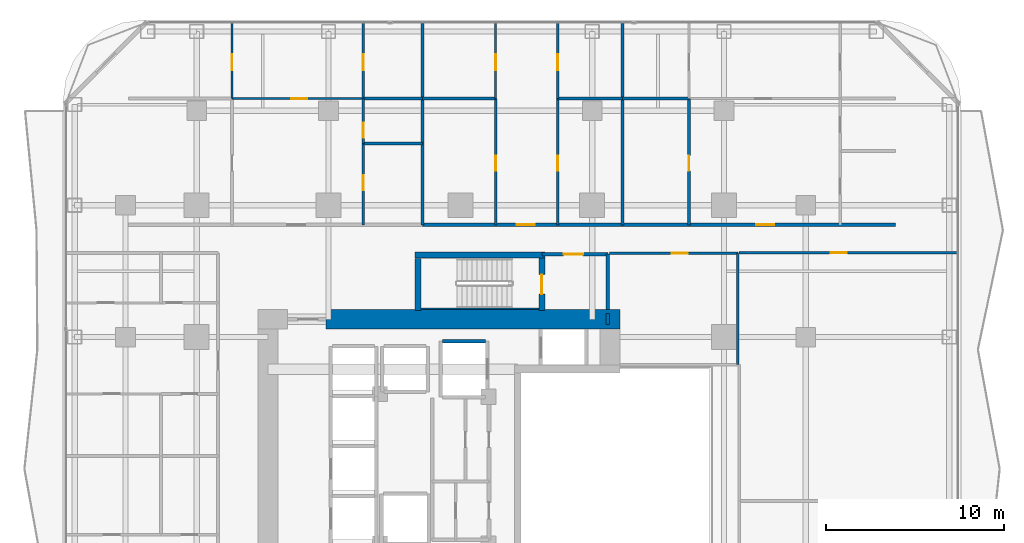
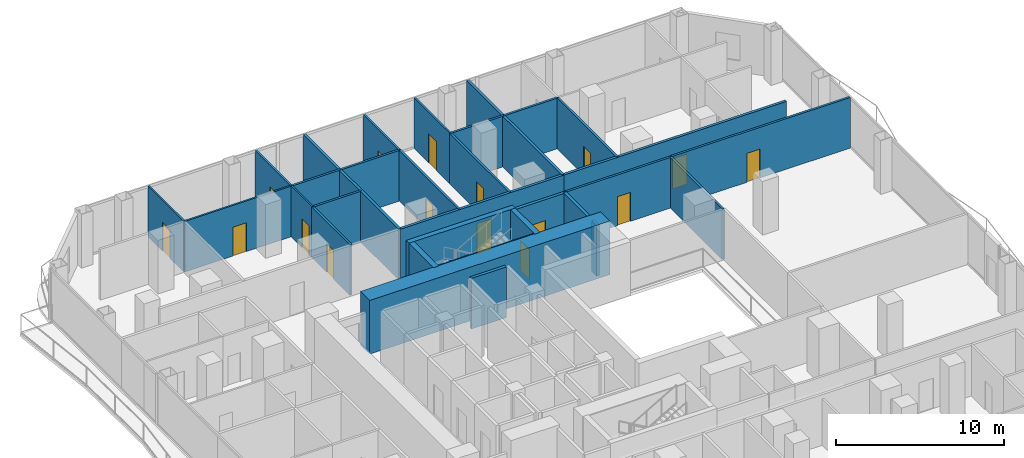
# One storey, part 24 of 28: 31 walls, 16 doors, 16 openings.
"""IFC4 building model written with IfcOpenShell, lengths in metres."""

from ifc_helpers import new_model, si_unit, direction, frame, frame_2d, origin, place, context, subcontext, project, spatial, rectangle, extrude, material, layer, layer_set, type_object, element, fill, save


model = new_model("IFC4")

# Units and contexts
model_context = context("Model", 3, precision=1e-05, world=origin(), true_north=direction((0.0, 1.0)))
body_context = subcontext(model_context, "Body", "Model", "MODEL_VIEW")
ifc_project = project(units=[si_unit("LENGTHUNIT", "METRE"), si_unit("AREAUNIT", "SQUARE_METRE"), si_unit("VOLUMEUNIT", "CUBIC_METRE"), si_unit("PLANEANGLEUNIT", "RADIAN"), si_unit("MASSUNIT", "GRAM", prefix="KILO")], contexts=[model_context])

# Site, building, storey
site_placement = place(None, origin())
site = spatial("IfcSite", under=ifc_project, at=site_placement, CompositionType="ELEMENT")
building_placement = place(site_placement, origin())
building = spatial("IfcBuilding", under=site, at=building_placement, Name="Khorvyn Point Tower", CompositionType="ELEMENT")
storey_placement = place(building_placement, frame((0.0, 0.0, 34.5)))
storey = spatial("IfcBuildingStorey", under=building, at=storey_placement, Name="L09", CompositionType="ELEMENT", Elevation=34.5)

# Wall, opening, door
ifc_material_1 = material(Name="Double acoustic gypsum on twin steel stud", Category="steel")
ifc_layer_1 = layer(ifc_material_1, 0.179931640625)
ifc_layer_set_1 = layer_set([ifc_layer_1], Name="Acoustic Double-Stud Apartment Demising Wall 180")
wall_type_1 = type_object("IfcWallType", Name="Acoustic Double-Stud Apartment Demising Wall 180", PredefinedType="PARTITIONING", material=ifc_layer_set_1)
wall_1_placement = place(storey_placement, frame((-2.12109375, 13.699951171875, 0.0), z_axis=(0.0, 0.0, 1.0), x_axis=(1.0, 0.0, 0.0)))
wall_1 = element("IfcWall", 1, at=wall_1_placement, inside=storey, type_object=wall_type_1, Name="Wall", PredefinedType="PARTITIONING", context=body_context, shape_type="SweptSolid", body=[
    extrude(rectangle(XDim=11.22607421875, YDim=0.179931640625, at=frame_2d((5.613037109375, 0.0))), origin(), (0.0, 0.0, 1.0), 3.679931640625),
])
opening_1_placement = place(wall_1_placement, frame((5.289794921875, 0.0, 0.0)))
opening_1 = element("IfcOpeningElement", 2, at=opening_1_placement, cuts=wall_1, Name="Opening ID-AP60", PredefinedType="OPENING", context=body_context, shape_type="SweptSolid", body=[
    extrude(rectangle(XDim=1.0, YDim=2.199951171875, at=frame_2d((0.5, 1.10009765625))), frame((0.0, 0.099853515625, 0.0), z_axis=(0.0, -1.0, 0.0), x_axis=(1.0, 0.0, 0.0)), (0.0, 0.0, 1.0), 0.199951171875),
])
ifc_material_2 = material(Name="Engineered hardwood fire-rated leaf", Category="wood")
door_type_1 = type_object("IfcDoorType", Name="Acoustic Solid-Core Timber Apartment Entrance Door 1000x2200", OperationType="NOTDEFINED", PredefinedType="DOOR", material=ifc_material_2)
door_1_placement = place(opening_1_placement, origin())
door_1 = element("IfcDoor", 3, at=door_1_placement, inside=storey, type_object=door_type_1, Name="Door", OperationType="SINGLE_SWING_LEFT", OverallHeight=2.199951171875, OverallWidth=1.0, PredefinedType="DOOR", context=body_context, shape_type="SweptSolid", body=[
    extrude(rectangle(XDim=1.0, YDim=2.199951171875, at=frame_2d((0.5, 1.10009765625))), frame((0.0, 0.02490234375, 0.0), z_axis=(0.0, -1.0, 0.0), x_axis=(1.0, 0.0, 0.0)), (0.0, 0.0, 1.0), 0.050048828125),
])
fill(opening_1, door_1)

wall_2_placement = place(storey_placement, frame((9.10498046875, 13.699951171875, 0.0), z_axis=(0.0, 0.0, 1.0), x_axis=(1.0, 0.0, 0.0)))
wall_2 = element("IfcWall", 4, at=wall_2_placement, inside=storey, type_object=wall_type_1, Name="Wall", PredefinedType="PARTITIONING", context=body_context, shape_type="SweptSolid", body=[
    extrude(rectangle(XDim=15.31494140625, YDim=0.179931640625, at=frame_2d((7.657470703125, 0.0))), origin(), (0.0, 0.0, 1.0), 3.679931640625),
])
opening_2_placement = place(wall_2_placement, frame((7.516357421875, 0.0, 0.0)))
opening_2 = element("IfcOpeningElement", 5, at=opening_2_placement, cuts=wall_2, Name="Opening ID-AP60", PredefinedType="OPENING", context=body_context, shape_type="SweptSolid", body=[
    extrude(rectangle(XDim=1.0, YDim=2.199951171875, at=frame_2d((0.5, 1.10009765625))), frame((0.0, 0.099853515625, 0.0), z_axis=(0.0, -1.0, 0.0), x_axis=(1.0, 0.0, 0.0)), (0.0, 0.0, 1.0), 0.199951171875),
])
door_2_placement = place(opening_2_placement, origin())
door_2 = element("IfcDoor", 6, at=door_2_placement, inside=storey, type_object=door_type_1, Name="Door", OperationType="SINGLE_SWING_RIGHT", OverallHeight=2.199951171875, OverallWidth=1.0, PredefinedType="DOOR", context=body_context, shape_type="SweptSolid", body=[
    extrude(rectangle(XDim=1.0, YDim=2.199951171875, at=frame_2d((0.5, 1.10009765625))), frame((0.0, 0.02490234375, 0.0), z_axis=(0.0, -1.0, 0.0), x_axis=(1.0, 0.0, 0.0)), (0.0, 0.0, 1.0), 0.050048828125),
])
fill(opening_2, door_2)

# Walls
for number, where, z_axis, x_axis, name in (
    (7, (-2.12109375, 13.699951171875, 0.0), (0.0, 0.0, 1.0), (0.0, 1.0, 0.0), "Wall"),
    (8, (9.10498046875, 13.699951171875, 0.0), (0.0, 0.0, 1.0), (0.0, 1.0, 0.0), "Wall"),
):
    element("IfcWall", number, at=place(storey_placement, frame(where, z_axis=z_axis, x_axis=x_axis)), inside=storey, type_object=wall_type_1, Name=name, PredefinedType="PARTITIONING", context=body_context, shape_type="SweptSolid", body=[
        extrude(rectangle(XDim=11.330078125, YDim=0.179931640625, at=frame_2d((5.6650390625, 0.0))), origin(), (0.0, 0.0, 1.0), 3.679931640625),
    ])

# Wall, opening, door
ifc_material_3 = material(Name="Concrete C40/50", Category="concrete")
ifc_layer_2 = layer(ifc_material_3, 0.199951171875)
ifc_layer_set_2 = layer_set([ifc_layer_2], Name="Concrete C40/50 Fire-Lobby Compartment Wall 200")
wall_type_2 = type_object("IfcWallType", Name="Concrete C40/50 Fire-Lobby Compartment Wall 200", PredefinedType="SOLIDWALL", material=ifc_layer_set_2)
wall_3_placement = place(storey_placement, frame((4.580078125, 12.06005859375, 0.0), z_axis=(0.0, 0.0, 1.0), x_axis=(1.0, 0.0, 0.0)))
wall_3 = element("IfcWall", 9, at=wall_3_placement, inside=storey, type_object=wall_type_2, Name="Wall", PredefinedType="SOLIDWALL", context=body_context, shape_type="SweptSolid", body=[
    extrude(rectangle(XDim=3.699951171875, YDim=0.199951171875, at=frame_2d((1.85009765625, 0.0))), origin(), (0.0, 0.0, 1.0), 3.679931640625),
])
opening_3_placement = place(wall_3_placement, frame((1.21240234375, 0.0, 0.0)))
opening_3 = element("IfcOpeningElement", 10, at=opening_3_placement, cuts=wall_3, Name="Opening ID-FL90", PredefinedType="OPENING", context=body_context, shape_type="SweptSolid", body=[
    extrude(rectangle(XDim=1.10009765625, YDim=2.14990234375, at=frame_2d((0.550048828125, 1.074951171875))), frame((0.0, 0.10986328125, 0.0), z_axis=(0.0, -1.0, 0.0), x_axis=(1.0, 0.0, 0.0)), (0.0, 0.0, 1.0), 0.219970703125),
])
ifc_material_4 = material(Name="Galvanised powder-coated steel", Category="steel")
door_type_2 = type_object("IfcDoorType", Name="Fire-Rated Steel Lobby and Stair Door 1100x2150", OperationType="NOTDEFINED", PredefinedType="DOOR", material=ifc_material_4)
door_3_placement = place(opening_3_placement, origin())
door_3 = element("IfcDoor", 11, at=door_3_placement, inside=storey, type_object=door_type_2, Name="Door", OperationType="SINGLE_SWING_LEFT", OverallHeight=2.14990234375, OverallWidth=1.10009765625, PredefinedType="DOOR", context=body_context, shape_type="SweptSolid", body=[
    extrude(rectangle(XDim=1.10009765625, YDim=2.14990234375, at=frame_2d((0.550048828125, 1.074951171875))), frame((0.0, 0.02490234375, 0.0), z_axis=(0.0, -1.0, 0.0), x_axis=(1.0, 0.0, 0.0)), (0.0, 0.0, 1.0), 0.050048828125),
])
fill(opening_3, door_3)

# Walls
wall_4_placement = place(storey_placement, frame((8.280029296875, 8.949951171875, 0.0), z_axis=(0.0, 0.0, 1.0), x_axis=(0.0, 1.0, 0.0)))
element("IfcWall", 12, at=wall_4_placement, inside=storey, type_object=wall_type_2, Name="Wall", PredefinedType="SOLIDWALL", context=body_context, shape_type="SweptSolid", body=[
    extrude(rectangle(XDim=3.110107421875, YDim=0.199951171875, at=frame_2d((1.55517578125, 0.0))), origin(), (0.0, 0.0, 1.0), 3.679931640625),
])
wall_5_placement = place(storey_placement, frame((8.280029296875, 8.10009765625, 0.0), z_axis=(0.0, 0.0, 1.0), x_axis=(0.0, 1.0, 0.0)))
element("IfcWall", 13, at=wall_5_placement, inside=storey, type_object=wall_type_2, Name="Wall", PredefinedType="SOLIDWALL", context=body_context, shape_type="SweptSolid", body=[
    extrude(rectangle(XDim=0.625, YDim=0.199951171875, at=frame_2d((0.3125, 0.0))), origin(), (0.0, 0.0, 1.0), 3.679931640625),
])
ifc_layer_3 = layer(ifc_material_3, 0.25)
ifc_layer_set_3 = layer_set([ifc_layer_3], Name="Concrete C40/50 Stair Inner Cheek Structural Wall 250")
wall_type_3 = type_object("IfcWallType", Name="Concrete C40/50 Stair Inner Cheek Structural Wall 250", PredefinedType="SHEAR", material=ifc_layer_set_3)
wall_6_placement = place(storey_placement, frame((-2.199951171875, 8.987548828125, 0.0), z_axis=(0.0, 0.0, 1.0), x_axis=(1.0, 0.0, 0.0)))
element("IfcWall", 14, at=wall_6_placement, inside=storey, type_object=wall_type_3, Name="Wall", PredefinedType="SHEAR", context=body_context, shape_type="SweptSolid", body=[
    extrude(rectangle(XDim=6.599853515625, YDim=0.074951171875, at=frame_2d((3.2998046875, 0.0))), origin(), (0.0, 0.0, 1.0), 3.89990234375),
])
ifc_layer_4 = layer(ifc_material_3, 0.35009765625)
ifc_layer_set_4 = layer_set([ifc_layer_4], Name="Concrete C40/50 Stair Shaft Structural Wall 350")
wall_type_4 = type_object("IfcWallType", Name="Concrete C40/50 Stair Shaft Structural Wall 350", PredefinedType="SHEAR", material=ifc_layer_set_4)
wall_7_placement = place(storey_placement, frame((-2.554931640625, 12.0, 0.0), z_axis=(0.0, 0.0, 1.0), x_axis=(1.0, 0.0, 0.0)))
element("IfcWall", 15, at=wall_7_placement, inside=storey, type_object=wall_type_4, Name="L09 ST-02 North Shaft Wall", PredefinedType="SHEAR", context=body_context, shape_type="SweptSolid", body=[
    extrude(rectangle(XDim=7.309814453125, YDim=0.35009765625, at=frame_2d((3.65478515625, 0.0))), origin(), (0.0, 0.0, 1.0), 3.89990234375),
])
wall_8_placement = place(storey_placement, frame((-2.3798828125, 8.89990234375, 0.0), z_axis=(0.0, 0.0, 1.0), x_axis=(0.0, 1.0, 0.0)))
element("IfcWall", 16, at=wall_8_placement, inside=storey, type_object=wall_type_4, Name="L09 ST-02 West Shaft Wall", PredefinedType="SHEAR", context=body_context, shape_type="SweptSolid", body=[
    extrude(rectangle(XDim=2.925048828125, YDim=0.35009765625, at=frame_2d((1.46240234375, 0.0))), origin(), (0.0, 0.0, 1.0), 3.89990234375),
])

# Wall, opening, door
wall_9_placement = place(storey_placement, frame((4.580078125, 11.824951171875, 0.0), z_axis=(0.0, 0.0, 1.0), x_axis=(0.0, -1.0, 0.0)))
wall_9 = element("IfcWall", 17, at=wall_9_placement, inside=storey, type_object=wall_type_4, Name="L09 ST-02 East Landing Door Wall", PredefinedType="SHEAR", context=body_context, shape_type="SweptSolid", body=[
    extrude(rectangle(XDim=2.925048828125, YDim=0.35009765625, at=frame_2d((1.46240234375, 0.0))), origin(), (0.0, 0.0, 1.0), 3.89990234375),
])
opening_4_placement = place(wall_9_placement, frame((0.91259765625, 0.0, 0.0)))
opening_4 = element("IfcOpeningElement", 18, at=opening_4_placement, cuts=wall_9, Name="Opening ID-FL90", PredefinedType="OPENING", context=body_context, shape_type="SweptSolid", body=[
    extrude(rectangle(XDim=1.10009765625, YDim=2.14990234375, at=frame_2d((0.550048828125, 1.074951171875))), frame((0.0, 0.18505859375, 0.0), z_axis=(0.0, -1.0, 0.0), x_axis=(1.0, 0.0, 0.0)), (0.0, 0.0, 1.0), 0.3701171875),
])
door_4_placement = place(opening_4_placement, origin())
door_4 = element("IfcDoor", 19, at=door_4_placement, inside=storey, type_object=door_type_2, Name="L09 ST-02 Smokeproof Landing Door", OperationType="SINGLE_SWING_RIGHT", OverallHeight=2.14990234375, OverallWidth=1.10009765625, PredefinedType="DOOR", context=body_context, shape_type="SweptSolid", body=[
    extrude(rectangle(XDim=1.10009765625, YDim=2.14990234375, at=frame_2d((0.550048828125, 1.074951171875))), frame((0.0, 0.02490234375, 0.0), z_axis=(0.0, -1.0, 0.0), x_axis=(1.0, 0.0, 0.0)), (0.0, 0.0, 1.0), 0.050048828125),
])
fill(opening_4, door_4)

# Walls
ifc_layer_5 = layer(ifc_material_3, 0.199951171875)
ifc_layer_set_5 = layer_set([ifc_layer_5], Name="Concrete C40/50 Structural Hoistway and Stair Shaft Wall 200")
wall_type_5 = type_object("IfcWallType", Name="Concrete C40/50 Structural Hoistway and Stair Shaft Wall 200", PredefinedType="SHEAR", material=ifc_layer_set_5)
wall_10_placement = place(storey_placement, frame((-1.0, 7.175048828125, 0.0), z_axis=(0.0, 0.0, 1.0), x_axis=(1.0, 0.0, 0.0)))
element("IfcWall", 20, at=wall_10_placement, inside=storey, type_object=wall_type_5, Name="Wall", PredefinedType="SHEAR", context=body_context, shape_type="SweptSolid", body=[
    extrude(rectangle(XDim=2.39990234375, YDim=0.199951171875, at=frame_2d((1.199951171875, 0.0))), origin(), (0.0, 0.0, 1.0), 3.679931640625),
])
ifc_material_5 = material(Name="Concrete C50/60", Category="concrete")
ifc_layer_6 = layer(ifc_material_5, 1.10009765625)
ifc_layer_set_6 = layer_set([ifc_layer_6], Name="Concrete C50/60 Core Shear Wall 1100")
wall_type_6 = type_object("IfcWallType", Name="Concrete C50/60 Core Shear Wall 1100", PredefinedType="SHEAR", material=ifc_layer_set_6)
wall_11_placement = place(storey_placement, frame((-7.550048828125, 8.39990234375, 0.0), z_axis=(0.0, 0.0, 1.0), x_axis=(1.0, 0.0, 0.0)))
element("IfcWall", 21, at=wall_11_placement, inside=storey, type_object=wall_type_6, Name="Wall", PredefinedType="SHEAR", context=body_context, shape_type="SweptSolid", body=[
    extrude(rectangle(XDim=16.5, YDim=1.10009765625, at=frame_2d((8.25, 0.0))), origin(), (0.0, 0.0, 1.0), 3.89990234375),
])

# Wall, opening, door
ifc_material_6 = material(Name="Gypsum plasterboard on steel stud", Category="steel")
ifc_layer_7 = layer(ifc_material_6, 0.1201171875)
ifc_layer_set_7 = layer_set([ifc_layer_7], Name="Gypsum Acoustic Stud Room Partition Wall 120")
wall_type_7 = type_object("IfcWallType", Name="Gypsum Acoustic Stud Room Partition Wall 120", PredefinedType="PARTITIONING", material=ifc_layer_set_7)
wall_12_placement = place(storey_placement, frame((-12.818115234375, 20.7900390625, 0.0), z_axis=(0.0, 0.0, 1.0), x_axis=(1.0, 0.0, 0.0)))
wall_12 = element("IfcWall", 22, at=wall_12_placement, inside=storey, type_object=wall_type_7, Name="Wall", PredefinedType="PARTITIONING", context=body_context, shape_type="SweptSolid", body=[
    extrude(rectangle(XDim=7.3681640625, YDim=0.1201171875, at=frame_2d((3.68408203125, 0.0))), origin(), (0.0, 0.0, 1.0), 3.679931640625),
])
opening_5_placement = place(wall_12_placement, frame((3.32177734375, 0.0, 0.0)))
opening_5 = element("IfcOpeningElement", 23, at=opening_5_placement, cuts=wall_12, Name="Opening ID-RM90", PredefinedType="OPENING", context=body_context, shape_type="SweptSolid", body=[
    extrude(rectangle(XDim=0.89990234375, YDim=2.10009765625, at=frame_2d((0.449951171875, 1.050048828125))), frame((0.0, 0.070068359375, 0.0), z_axis=(0.0, -1.0, 0.0), x_axis=(1.0, 0.0, 0.0)), (0.0, 0.0, 1.0), 0.14013671875),
])
ifc_material_7 = material(Name="Engineered oak veneer timber", Category="wood")
door_type_3 = type_object("IfcDoorType", Name="Flush Engineered Timber Room Door 900x2100", OperationType="NOTDEFINED", PredefinedType="DOOR", material=ifc_material_7)
door_5_placement = place(opening_5_placement, origin())
door_5 = element("IfcDoor", 24, at=door_5_placement, inside=storey, type_object=door_type_3, Name="Door", OperationType="SINGLE_SWING_LEFT", OverallHeight=2.10009765625, OverallWidth=0.89990234375, PredefinedType="DOOR", context=body_context, shape_type="SweptSolid", body=[
    extrude(rectangle(XDim=0.89990234375, YDim=2.10009765625, at=frame_2d((0.449951171875, 1.050048828125))), frame((0.0, 0.02490234375, 0.0), z_axis=(0.0, -1.0, 0.0), x_axis=(1.0, 0.0, 0.0)), (0.0, 0.0, 1.0), 0.050048828125),
])
fill(opening_5, door_5)

wall_13_placement = place(storey_placement, frame((-12.818115234375, 20.7900390625, 0.0), z_axis=(0.0, 0.0, 1.0), x_axis=(0.0, 1.0, 0.0)))
wall_13 = element("IfcWall", 25, at=wall_13_placement, inside=storey, type_object=wall_type_7, Name="Wall", PredefinedType="PARTITIONING", context=body_context, shape_type="SweptSolid", body=[
    extrude(rectangle(XDim=4.239990234375, YDim=0.1201171875, at=frame_2d((2.1201171875, 0.0))), origin(), (0.0, 0.0, 1.0), 3.679931640625),
])
opening_6_placement = place(wall_13_placement, frame((1.581298828125, 0.0, 0.0)))
opening_6 = element("IfcOpeningElement", 26, at=opening_6_placement, cuts=wall_13, Name="Opening ID-RM90", PredefinedType="OPENING", context=body_context, shape_type="SweptSolid", body=[
    extrude(rectangle(XDim=0.89990234375, YDim=2.10009765625, at=frame_2d((0.449951171875, 1.050048828125))), frame((0.0, 0.070068359375, 0.0), z_axis=(0.0, -1.0, 0.0), x_axis=(1.0, 0.0, 0.0)), (0.0, 0.0, 1.0), 0.14013671875),
])
door_6_placement = place(opening_6_placement, origin())
door_6 = element("IfcDoor", 27, at=door_6_placement, inside=storey, type_object=door_type_3, Name="Door", OperationType="SINGLE_SWING_LEFT", OverallHeight=2.10009765625, OverallWidth=0.89990234375, PredefinedType="DOOR", context=body_context, shape_type="SweptSolid", body=[
    extrude(rectangle(XDim=0.89990234375, YDim=2.10009765625, at=frame_2d((0.449951171875, 1.050048828125))), frame((0.0, 0.02490234375, 0.0), z_axis=(0.0, -1.0, 0.0), x_axis=(1.0, 0.0, 0.0)), (0.0, 0.0, 1.0), 0.050048828125),
])
fill(opening_6, door_6)

wall_14_placement = place(storey_placement, frame((-5.449951171875, 18.26611328125, 0.0), z_axis=(0.0, 0.0, 1.0), x_axis=(0.0, 1.0, 0.0)))
wall_14 = element("IfcWall", 28, at=wall_14_placement, inside=storey, type_object=wall_type_7, Name="Wall", PredefinedType="PARTITIONING", context=body_context, shape_type="SweptSolid", body=[
    extrude(rectangle(XDim=2.52392578125, YDim=0.1201171875, at=frame_2d((1.261962890625, 0.0))), origin(), (0.0, 0.0, 1.0), 3.679931640625),
])
opening_7_placement = place(wall_14_placement, frame((0.329345703125, 0.0, 0.0)))
opening_7 = element("IfcOpeningElement", 29, at=opening_7_placement, cuts=wall_14, Name="Opening ID-WC85", PredefinedType="OPENING", context=body_context, shape_type="SweptSolid", body=[
    extrude(rectangle(XDim=0.85009765625, YDim=2.10009765625, at=frame_2d((0.425048828125, 1.050048828125))), frame((0.0, 0.070068359375, 0.0), z_axis=(0.0, -1.0, 0.0), x_axis=(1.0, 0.0, 0.0)), (0.0, 0.0, 1.0), 0.14013671875),
])
ifc_material_8 = material(Name="High-pressure laminate on moisture-resistant core", Category="wood")
door_type_4 = type_object("IfcDoorType", Name="Moisture-Resistant Accessible Washroom Door 850x2100", OperationType="NOTDEFINED", PredefinedType="DOOR", material=ifc_material_8)
door_7_placement = place(opening_7_placement, origin())
door_7 = element("IfcDoor", 30, at=door_7_placement, inside=storey, type_object=door_type_4, Name="Door", OperationType="SINGLE_SWING_LEFT", OverallHeight=2.10009765625, OverallWidth=0.85009765625, PredefinedType="DOOR", context=body_context, shape_type="SweptSolid", body=[
    extrude(rectangle(XDim=0.85009765625, YDim=2.10009765625, at=frame_2d((0.425048828125, 1.050048828125))), frame((0.0, 0.02490234375, 0.0), z_axis=(0.0, -1.0, 0.0), x_axis=(1.0, 0.0, 0.0)), (0.0, 0.0, 1.0), 0.050048828125),
])
fill(opening_7, door_7)

wall_15_placement = place(storey_placement, frame((-5.449951171875, 20.7900390625, 0.0), z_axis=(0.0, 0.0, 1.0), x_axis=(0.0, 1.0, 0.0)))
wall_15 = element("IfcWall", 31, at=wall_15_placement, inside=storey, type_object=wall_type_7, Name="Wall", PredefinedType="PARTITIONING", context=body_context, shape_type="SweptSolid", body=[
    extrude(rectangle(XDim=4.239990234375, YDim=0.1201171875, at=frame_2d((2.1201171875, 0.0))), origin(), (0.0, 0.0, 1.0), 3.679931640625),
])
opening_8_placement = place(wall_15_placement, frame((1.581298828125, 0.0, 0.0)))
opening_8 = element("IfcOpeningElement", 32, at=opening_8_placement, cuts=wall_15, Name="Opening ID-RM90", PredefinedType="OPENING", context=body_context, shape_type="SweptSolid", body=[
    extrude(rectangle(XDim=0.89990234375, YDim=2.10009765625, at=frame_2d((0.449951171875, 1.050048828125))), frame((0.0, 0.070068359375, 0.0), z_axis=(0.0, -1.0, 0.0), x_axis=(1.0, 0.0, 0.0)), (0.0, 0.0, 1.0), 0.14013671875),
])
door_8_placement = place(opening_8_placement, origin())
door_8 = element("IfcDoor", 33, at=door_8_placement, inside=storey, type_object=door_type_3, Name="Door", OperationType="SINGLE_SWING_RIGHT", OverallHeight=2.10009765625, OverallWidth=0.89990234375, PredefinedType="DOOR", context=body_context, shape_type="SweptSolid", body=[
    extrude(rectangle(XDim=0.89990234375, YDim=2.10009765625, at=frame_2d((0.449951171875, 1.050048828125))), frame((0.0, 0.02490234375, 0.0), z_axis=(0.0, -1.0, 0.0), x_axis=(1.0, 0.0, 0.0)), (0.0, 0.0, 1.0), 0.050048828125),
])
fill(opening_8, door_8)

wall_16_placement = place(storey_placement, frame((1.97900390625, 20.7900390625, 0.0), z_axis=(0.0, 0.0, 1.0), x_axis=(0.0, 1.0, 0.0)))
wall_16 = element("IfcWall", 34, at=wall_16_placement, inside=storey, type_object=wall_type_7, Name="Wall", PredefinedType="PARTITIONING", context=body_context, shape_type="SweptSolid", body=[
    extrude(rectangle(XDim=4.239990234375, YDim=0.1201171875, at=frame_2d((2.1201171875, 0.0))), origin(), (0.0, 0.0, 1.0), 3.679931640625),
])
opening_9_placement = place(wall_16_placement, frame((1.581298828125, 0.0, 0.0)))
opening_9 = element("IfcOpeningElement", 35, at=opening_9_placement, cuts=wall_16, Name="Opening ID-RM90", PredefinedType="OPENING", context=body_context, shape_type="SweptSolid", body=[
    extrude(rectangle(XDim=0.89990234375, YDim=2.10009765625, at=frame_2d((0.449951171875, 1.050048828125))), frame((0.0, 0.070068359375, 0.0), z_axis=(0.0, -1.0, 0.0), x_axis=(1.0, 0.0, 0.0)), (0.0, 0.0, 1.0), 0.14013671875),
])
door_9_placement = place(opening_9_placement, origin())
door_9 = element("IfcDoor", 36, at=door_9_placement, inside=storey, type_object=door_type_3, Name="Door", OperationType="SINGLE_SWING_LEFT", OverallHeight=2.10009765625, OverallWidth=0.89990234375, PredefinedType="DOOR", context=body_context, shape_type="SweptSolid", body=[
    extrude(rectangle(XDim=0.89990234375, YDim=2.10009765625, at=frame_2d((0.449951171875, 1.050048828125))), frame((0.0, 0.02490234375, 0.0), z_axis=(0.0, -1.0, 0.0), x_axis=(1.0, 0.0, 0.0)), (0.0, 0.0, 1.0), 0.050048828125),
])
fill(opening_9, door_9)

wall_17_placement = place(storey_placement, frame((5.466064453125, 20.7900390625, 0.0), z_axis=(0.0, 0.0, 1.0), x_axis=(0.0, 1.0, 0.0)))
wall_17 = element("IfcWall", 37, at=wall_17_placement, inside=storey, type_object=wall_type_7, Name="Wall", PredefinedType="PARTITIONING", context=body_context, shape_type="SweptSolid", body=[
    extrude(rectangle(XDim=4.239990234375, YDim=0.1201171875, at=frame_2d((2.1201171875, 0.0))), origin(), (0.0, 0.0, 1.0), 3.679931640625),
])
opening_10_placement = place(wall_17_placement, frame((1.581298828125, 0.0, 0.0)))
opening_10 = element("IfcOpeningElement", 38, at=opening_10_placement, cuts=wall_17, Name="Opening ID-RM90", PredefinedType="OPENING", context=body_context, shape_type="SweptSolid", body=[
    extrude(rectangle(XDim=0.89990234375, YDim=2.10009765625, at=frame_2d((0.449951171875, 1.050048828125))), frame((0.0, 0.070068359375, 0.0), z_axis=(0.0, -1.0, 0.0), x_axis=(1.0, 0.0, 0.0)), (0.0, 0.0, 1.0), 0.14013671875),
])
door_10_placement = place(opening_10_placement, origin())
door_10 = element("IfcDoor", 39, at=door_10_placement, inside=storey, type_object=door_type_3, Name="Door", OperationType="SINGLE_SWING_LEFT", OverallHeight=2.10009765625, OverallWidth=0.89990234375, PredefinedType="DOOR", context=body_context, shape_type="SweptSolid", body=[
    extrude(rectangle(XDim=0.89990234375, YDim=2.10009765625, at=frame_2d((0.449951171875, 1.050048828125))), frame((0.0, 0.02490234375, 0.0), z_axis=(0.0, -1.0, 0.0), x_axis=(1.0, 0.0, 0.0)), (0.0, 0.0, 1.0), 0.050048828125),
])
fill(opening_10, door_10)

ifc_material_9 = material(Name="Moisture-resistant gypsum and cement board", Category="gypsum")
ifc_layer_8 = layer(ifc_material_9, 0.14990234375)
ifc_layer_set_8 = layer_set([ifc_layer_8], Name="Moisture-Resistant Wet-Room Partition Wall 150")
wall_type_8 = type_object("IfcWallType", Name="Moisture-Resistant Wet-Room Partition Wall 150", PredefinedType="PARTITIONING", material=ifc_layer_set_8)
wall_18_placement = place(storey_placement, frame((8.360107421875, 12.10009765625, 0.0), z_axis=(0.0, 0.0, 1.0), x_axis=(1.0, 0.0, 0.0)))
wall_18 = element("IfcWall", 40, at=wall_18_placement, inside=storey, type_object=wall_type_8, Name="Wall", PredefinedType="PARTITIONING", context=body_context, shape_type="SweptSolid", body=[
    extrude(rectangle(XDim=7.219970703125, YDim=0.14990234375, at=frame_2d((3.60986328125, 0.0))), origin(), (0.0, 0.0, 1.0), 3.679931640625),
])
opening_11_placement = place(wall_18_placement, frame((3.512939453125, 0.0, 0.0)))
opening_11 = element("IfcOpeningElement", 41, at=opening_11_placement, cuts=wall_18, Name="Opening ID-RM90", PredefinedType="OPENING", context=body_context, shape_type="SweptSolid", body=[
    extrude(rectangle(XDim=0.89990234375, YDim=2.10009765625, at=frame_2d((0.449951171875, 1.050048828125))), frame((0.0, 0.0849609375, 0.0), z_axis=(0.0, -1.0, 0.0), x_axis=(1.0, 0.0, 0.0)), (0.0, 0.0, 1.0), 0.169921875),
])
door_11_placement = place(opening_11_placement, origin())
door_11 = element("IfcDoor", 42, at=door_11_placement, inside=storey, type_object=door_type_3, Name="Door", OperationType="SINGLE_SWING_LEFT", OverallHeight=2.10009765625, OverallWidth=0.89990234375, PredefinedType="DOOR", context=body_context, shape_type="SweptSolid", body=[
    extrude(rectangle(XDim=0.89990234375, YDim=2.10009765625, at=frame_2d((0.449951171875, 1.050048828125))), frame((0.0, 0.02490234375, 0.0), z_axis=(0.0, -1.0, 0.0), x_axis=(1.0, 0.0, 0.0)), (0.0, 0.0, 1.0), 0.050048828125),
])
fill(opening_11, door_11)

wall_19_placement = place(storey_placement, frame((-5.449951171875, 13.699951171875, 0.0), z_axis=(0.0, 0.0, 1.0), x_axis=(0.0, 1.0, 0.0)))
wall_19 = element("IfcWall", 43, at=wall_19_placement, inside=storey, type_object=wall_type_8, Name="Wall", PredefinedType="PARTITIONING", context=body_context, shape_type="SweptSolid", body=[
    extrude(rectangle(XDim=4.566162109375, YDim=0.14990234375, at=frame_2d((2.283203125, 0.0))), origin(), (0.0, 0.0, 1.0), 3.679931640625),
])
opening_12_placement = place(wall_19_placement, frame((1.947509765625, 0.0, 0.0)))
opening_12 = element("IfcOpeningElement", 44, at=opening_12_placement, cuts=wall_19, Name="Opening ID-WC85", PredefinedType="OPENING", context=body_context, shape_type="SweptSolid", body=[
    extrude(rectangle(XDim=0.85009765625, YDim=2.10009765625, at=frame_2d((0.425048828125, 1.050048828125))), frame((0.0, 0.0849609375, 0.0), z_axis=(0.0, -1.0, 0.0), x_axis=(1.0, 0.0, 0.0)), (0.0, 0.0, 1.0), 0.169921875),
])
door_12_placement = place(opening_12_placement, origin())
door_12 = element("IfcDoor", 45, at=door_12_placement, inside=storey, type_object=door_type_4, Name="Door", OperationType="SINGLE_SWING_RIGHT", OverallHeight=2.10009765625, OverallWidth=0.85009765625, PredefinedType="DOOR", context=body_context, shape_type="SweptSolid", body=[
    extrude(rectangle(XDim=0.85009765625, YDim=2.10009765625, at=frame_2d((0.425048828125, 1.050048828125))), frame((0.0, 0.02490234375, 0.0), z_axis=(0.0, -1.0, 0.0), x_axis=(1.0, 0.0, 0.0)), (0.0, 0.0, 1.0), 0.050048828125),
])
fill(opening_12, door_12)

wall_20_placement = place(storey_placement, frame((1.97900390625, 13.699951171875, 0.0), z_axis=(0.0, 0.0, 1.0), x_axis=(0.0, 1.0, 0.0)))
wall_20 = element("IfcWall", 46, at=wall_20_placement, inside=storey, type_object=wall_type_8, Name="Wall", PredefinedType="PARTITIONING", context=body_context, shape_type="SweptSolid", body=[
    extrude(rectangle(XDim=7.090087890625, YDim=0.14990234375, at=frame_2d((3.544921875, 0.0))), origin(), (0.0, 0.0, 1.0), 3.679931640625),
])
opening_13_placement = place(wall_20_placement, frame((3.0302734375, 0.0, 0.0)))
opening_13 = element("IfcOpeningElement", 47, at=opening_13_placement, cuts=wall_20, Name="Opening ID-WC85", PredefinedType="OPENING", context=body_context, shape_type="SweptSolid", body=[
    extrude(rectangle(XDim=0.85009765625, YDim=2.10009765625, at=frame_2d((0.425048828125, 1.050048828125))), frame((0.0, 0.0849609375, 0.0), z_axis=(0.0, -1.0, 0.0), x_axis=(1.0, 0.0, 0.0)), (0.0, 0.0, 1.0), 0.169921875),
])
door_13_placement = place(opening_13_placement, origin())
door_13 = element("IfcDoor", 48, at=door_13_placement, inside=storey, type_object=door_type_4, Name="Door", OperationType="SINGLE_SWING_RIGHT", OverallHeight=2.10009765625, OverallWidth=0.85009765625, PredefinedType="DOOR", context=body_context, shape_type="SweptSolid", body=[
    extrude(rectangle(XDim=0.85009765625, YDim=2.10009765625, at=frame_2d((0.425048828125, 1.050048828125))), frame((0.0, 0.02490234375, 0.0), z_axis=(0.0, -1.0, 0.0), x_axis=(1.0, 0.0, 0.0)), (0.0, 0.0, 1.0), 0.050048828125),
])
fill(opening_13, door_13)

wall_21_placement = place(storey_placement, frame((5.466064453125, 13.699951171875, 0.0), z_axis=(0.0, 0.0, 1.0), x_axis=(0.0, 1.0, 0.0)))
wall_21 = element("IfcWall", 49, at=wall_21_placement, inside=storey, type_object=wall_type_8, Name="Wall", PredefinedType="PARTITIONING", context=body_context, shape_type="SweptSolid", body=[
    extrude(rectangle(XDim=7.090087890625, YDim=0.14990234375, at=frame_2d((3.544921875, 0.0))), origin(), (0.0, 0.0, 1.0), 3.679931640625),
])
opening_14_placement = place(wall_21_placement, frame((3.0302734375, 0.0, 0.0)))
opening_14 = element("IfcOpeningElement", 50, at=opening_14_placement, cuts=wall_21, Name="Opening ID-WC85", PredefinedType="OPENING", context=body_context, shape_type="SweptSolid", body=[
    extrude(rectangle(XDim=0.85009765625, YDim=2.10009765625, at=frame_2d((0.425048828125, 1.050048828125))), frame((0.0, 0.0849609375, 0.0), z_axis=(0.0, -1.0, 0.0), x_axis=(1.0, 0.0, 0.0)), (0.0, 0.0, 1.0), 0.169921875),
])
door_14_placement = place(opening_14_placement, origin())
door_14 = element("IfcDoor", 51, at=door_14_placement, inside=storey, type_object=door_type_4, Name="Door", OperationType="SINGLE_SWING_RIGHT", OverallHeight=2.10009765625, OverallWidth=0.85009765625, PredefinedType="DOOR", context=body_context, shape_type="SweptSolid", body=[
    extrude(rectangle(XDim=0.85009765625, YDim=2.10009765625, at=frame_2d((0.425048828125, 1.050048828125))), frame((0.0, 0.02490234375, 0.0), z_axis=(0.0, -1.0, 0.0), x_axis=(1.0, 0.0, 0.0)), (0.0, 0.0, 1.0), 0.050048828125),
])
fill(opening_14, door_14)

wall_22_placement = place(storey_placement, frame((12.833984375, 13.699951171875, 0.0), z_axis=(0.0, 0.0, 1.0), x_axis=(0.0, 1.0, 0.0)))
wall_22 = element("IfcWall", 52, at=wall_22_placement, inside=storey, type_object=wall_type_8, Name="Wall", PredefinedType="PARTITIONING", context=body_context, shape_type="SweptSolid", body=[
    extrude(rectangle(XDim=7.090087890625, YDim=0.14990234375, at=frame_2d((3.544921875, 0.0))), origin(), (0.0, 0.0, 1.0), 3.679931640625),
])
opening_15_placement = place(wall_22_placement, frame((3.0302734375, 0.0, 0.0)))
opening_15 = element("IfcOpeningElement", 53, at=opening_15_placement, cuts=wall_22, Name="Opening ID-WC85", PredefinedType="OPENING", context=body_context, shape_type="SweptSolid", body=[
    extrude(rectangle(XDim=0.85009765625, YDim=2.10009765625, at=frame_2d((0.425048828125, 1.050048828125))), frame((0.0, 0.0849609375, 0.0), z_axis=(0.0, -1.0, 0.0), x_axis=(1.0, 0.0, 0.0)), (0.0, 0.0, 1.0), 0.169921875),
])
door_15_placement = place(opening_15_placement, origin())
door_15 = element("IfcDoor", 54, at=door_15_placement, inside=storey, type_object=door_type_4, Name="Door", OperationType="SINGLE_SWING_RIGHT", OverallHeight=2.10009765625, OverallWidth=0.85009765625, PredefinedType="DOOR", context=body_context, shape_type="SweptSolid", body=[
    extrude(rectangle(XDim=0.85009765625, YDim=2.10009765625, at=frame_2d((0.425048828125, 1.050048828125))), frame((0.0, 0.02490234375, 0.0), z_axis=(0.0, -1.0, 0.0), x_axis=(1.0, 0.0, 0.0)), (0.0, 0.0, 1.0), 0.050048828125),
])
fill(opening_15, door_15)

wall_23_placement = place(storey_placement, frame((15.64990234375, 12.139892578125, 0.0), z_axis=(0.0, 0.0, 1.0), x_axis=(1.0, 0.0, 0.0)))
wall_23 = element("IfcWall", 55, at=wall_23_placement, inside=storey, type_object=wall_type_8, Name="Wall", PredefinedType="PARTITIONING", context=body_context, shape_type="SweptSolid", body=[
    extrude(rectangle(XDim=12.27001953125, YDim=0.14990234375, at=frame_2d((6.135009765625, 0.0))), origin(), (0.0, 0.0, 1.0), 3.679931640625),
])
opening_16_placement = place(wall_23_placement, frame((5.150390625, 0.0, 0.0)))
opening_16 = element("IfcOpeningElement", 56, at=opening_16_placement, cuts=wall_23, Name="Opening ID-RM90", PredefinedType="OPENING", context=body_context, shape_type="SweptSolid", body=[
    extrude(rectangle(XDim=0.89990234375, YDim=2.10009765625, at=frame_2d((0.449951171875, 1.050048828125))), frame((0.0, 0.0849609375, 0.0), z_axis=(0.0, -1.0, 0.0), x_axis=(1.0, 0.0, 0.0)), (0.0, 0.0, 1.0), 0.169921875),
])
door_16_placement = place(opening_16_placement, origin())
door_16 = element("IfcDoor", 57, at=door_16_placement, inside=storey, type_object=door_type_3, Name="Door", OperationType="SINGLE_SWING_LEFT", OverallHeight=2.10009765625, OverallWidth=0.89990234375, PredefinedType="DOOR", context=body_context, shape_type="SweptSolid", body=[
    extrude(rectangle(XDim=0.89990234375, YDim=2.10009765625, at=frame_2d((0.449951171875, 1.050048828125))), frame((0.0, 0.02490234375, 0.0), z_axis=(0.0, -1.0, 0.0), x_axis=(1.0, 0.0, 0.0)), (0.0, 0.0, 1.0), 0.050048828125),
])
fill(opening_16, door_16)

# Walls
wall_24_placement = place(storey_placement, frame((15.580078125, 5.85009765625, 0.0), z_axis=(0.0, 0.0, 1.0), x_axis=(0.0, 1.0, 0.0)))
element("IfcWall", 58, at=wall_24_placement, inside=storey, type_object=wall_type_8, Name="Wall", PredefinedType="PARTITIONING", context=body_context, shape_type="SweptSolid", body=[
    extrude(rectangle(XDim=6.25, YDim=0.14990234375, at=frame_2d((3.125, 0.0))), origin(), (0.0, 0.0, 1.0), 3.679931640625),
])
for number, where, z_axis, x_axis, name in (
    (59, (-5.449951171875, 18.26611328125, 0.0), (0.0, 0.0, 1.0), (1.0, 0.0, 0.0), "Wall"),
    (60, (-5.449951171875, 20.7900390625, 0.0), (0.0, 0.0, 1.0), (1.0, 0.0, 0.0), "Wall"),
):
    element("IfcWall", number, at=place(storey_placement, frame(where, z_axis=z_axis, x_axis=x_axis)), inside=storey, type_object=wall_type_8, Name=name, PredefinedType="PARTITIONING", context=body_context, shape_type="SweptSolid", body=[
        extrude(rectangle(XDim=3.328857421875, YDim=0.14990234375, at=frame_2d((1.66455078125, 0.0))), origin(), (0.0, 0.0, 1.0), 3.679931640625),
    ])
wall_25_placement = place(storey_placement, frame((-2.12109375, 20.7900390625, 0.0), z_axis=(0.0, 0.0, 1.0), x_axis=(1.0, 0.0, 0.0)))
element("IfcWall", 61, at=wall_25_placement, inside=storey, type_object=wall_type_8, Name="Wall", PredefinedType="PARTITIONING", context=body_context, shape_type="SweptSolid", body=[
    extrude(rectangle(XDim=4.10009765625, YDim=0.14990234375, at=frame_2d((2.050048828125, 0.0))), origin(), (0.0, 0.0, 1.0), 3.679931640625),
])
wall_26_placement = place(storey_placement, frame((5.466064453125, 20.7900390625, 0.0), z_axis=(0.0, 0.0, 1.0), x_axis=(1.0, 0.0, 0.0)))
element("IfcWall", 62, at=wall_26_placement, inside=storey, type_object=wall_type_8, Name="Wall", PredefinedType="PARTITIONING", context=body_context, shape_type="SweptSolid", body=[
    extrude(rectangle(XDim=3.638916015625, YDim=0.14990234375, at=frame_2d((1.8193359375, 0.0))), origin(), (0.0, 0.0, 1.0), 3.679931640625),
])
wall_27_placement = place(storey_placement, frame((9.10498046875, 20.7900390625, 0.0), z_axis=(0.0, 0.0, 1.0), x_axis=(1.0, 0.0, 0.0)))
element("IfcWall", 63, at=wall_27_placement, inside=storey, type_object=wall_type_8, Name="Wall", PredefinedType="PARTITIONING", context=body_context, shape_type="SweptSolid", body=[
    extrude(rectangle(XDim=3.72900390625, YDim=0.14990234375, at=frame_2d((1.864501953125, 0.0))), origin(), (0.0, 0.0, 1.0), 3.679931640625),
])

save(model, "model.ifc")
